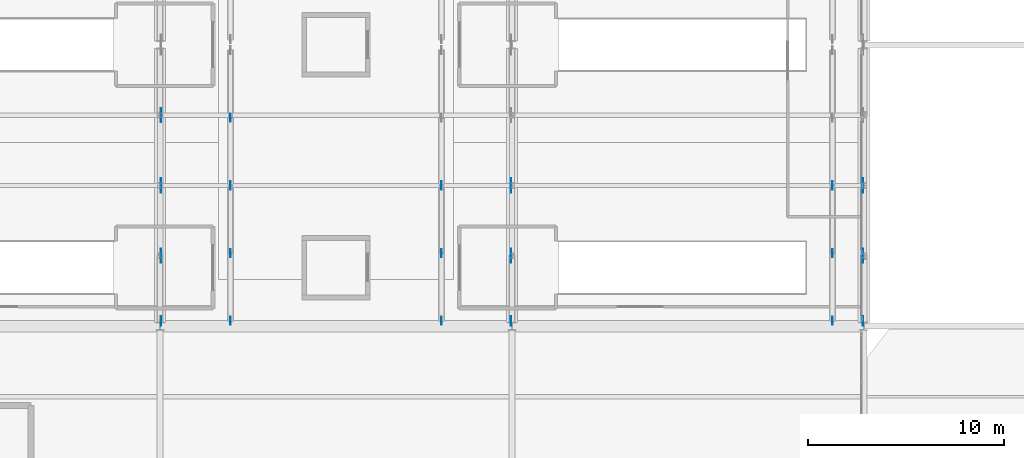
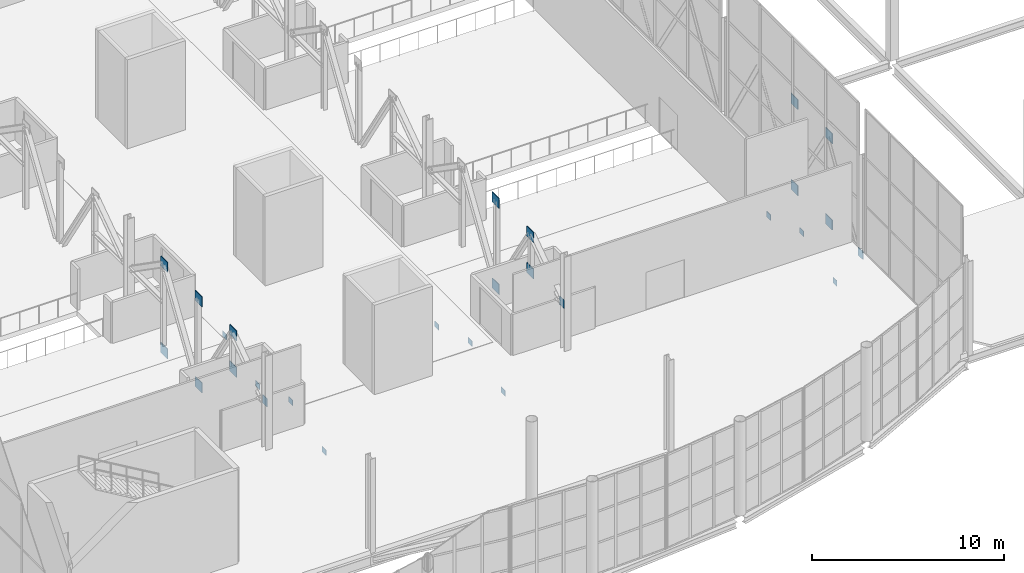
# One storey, part 161 of 191: 27 plates.
"""IFC4 building model written with IfcOpenShell, lengths in metres."""

from ifc_helpers import new_model, si_unit, direction, frame, origin, origin_2d, place, context, subcontext, project, spatial, rectangle, extrude, material, layer, layer_set, type_object, element, save


model = new_model("IFC4")

# Units and contexts
model_context = context("Model", 3, precision=1e-05, world=origin(), true_north=direction((0.0, 1.0)))
body_context = subcontext(model_context, "Body", "Model", "MODEL_VIEW")
ifc_project = project(units=[si_unit("LENGTHUNIT", "METRE"), si_unit("AREAUNIT", "SQUARE_METRE"), si_unit("VOLUMEUNIT", "CUBIC_METRE"), si_unit("PLANEANGLEUNIT", "RADIAN"), si_unit("MASSUNIT", "GRAM", prefix="KILO")], contexts=[model_context])

# Site, building, storey
site_placement = place(None, origin())
site = spatial("IfcSite", under=ifc_project, at=site_placement, CompositionType="ELEMENT")
building_placement = place(site_placement, origin())
building = spatial("IfcBuilding", under=site, at=building_placement, Name="Tamarisk Ironworks Central Station", CompositionType="ELEMENT")
storey_placement = place(building_placement, frame((0.0, 0.0, 6.60009765625)))
storey = spatial("IfcBuildingStorey", under=building, at=storey_placement, Name="L01", CompositionType="ELEMENT", Elevation=6.60009765625)

# Plates
ifc_material_1 = material(Name="Structural steel S355J2H", Category="steel")
ifc_layer_1 = layer(ifc_material_1, 0.02587890625)
ifc_layer_set_1 = layer_set([ifc_layer_1], Name="Structural steel S355J2H")
plate_type_1 = type_object("IfcPlateType", Name="PL-ND26", PredefinedType="SHEET", material=ifc_layer_set_1)
for number, where, z_axis, x_axis, name in (
    (1, (75.60009765625, 21.8798828125, -1.8203125), (0.0, 0.0, 1.0), (1.0, 0.0, 0.0), "Bridge deck stiffening brace gusset plate 149"),
    (2, (75.60009765625, 25.340087890625, -0.76025390625), (0.0, 0.0, 1.0), (1.0, 0.0, 0.0), "Bridge deck stiffening brace gusset plate 150"),
    (3, (75.60009765625, 28.800048828125, -1.8203125), (0.0, 0.0, 1.0), (1.0, 0.0, 0.0), "Bridge deck stiffening brace gusset plate 151"),
    (4, (75.60009765625, 32.260009765625, -0.76025390625), (0.0, 0.0, 1.0), (1.0, 0.0, 0.0), "Bridge deck stiffening brace gusset plate 152"),
    (5, (86.39990234375, 21.8798828125, -1.8203125), (0.0, 0.0, 1.0), (1.0, 0.0, 0.0), "Bridge deck stiffening brace gusset plate 169"),
    (6, (86.39990234375, 25.340087890625, -0.76025390625), (0.0, 0.0, 1.0), (1.0, 0.0, 0.0), "Bridge deck stiffening brace gusset plate 170"),
    (7, (86.39990234375, 28.800048828125, -1.8203125), (0.0, 0.0, 1.0), (1.0, 0.0, 0.0), "Bridge deck stiffening brace gusset plate 171"),
    (8, (106.39990234375, 21.8798828125, -1.8203125), (0.0, 0.0, 1.0), (1.0, 0.0, 0.0), "Bridge deck stiffening brace gusset plate 189"),
    (9, (106.39990234375, 25.340087890625, -0.76025390625), (0.0, 0.0, 1.0), (1.0, 0.0, 0.0), "Bridge deck stiffening brace gusset plate 190"),
    (10, (106.39990234375, 28.800048828125, -1.8203125), (0.0, 0.0, 1.0), (1.0, 0.0, 0.0), "Bridge deck stiffening brace gusset plate 191"),
):
    element("IfcPlate", number, at=place(storey_placement, frame(where, z_axis=z_axis, x_axis=x_axis)), inside=storey, type_object=plate_type_1, Name=name, PredefinedType="SHEET", context=body_context, shape_type="SweptSolid", body=[
        extrude(rectangle(XDim=0.02587890625, YDim=0.419921875, at=origin_2d()), origin(), (0.0, 0.0, 1.0), 0.360107421875),
    ])
ifc_material_2 = material(Name="Structural steel S355J2", Category="steel")
ifc_layer_2 = layer(ifc_material_2, 0.0380859375)
ifc_layer_set_2 = layer_set([ifc_layer_2], Name="Structural steel S355J2")
plate_type_2 = type_object("IfcPlateType", Name="PL-ND38", PredefinedType="SHEET", material=ifc_layer_set_2)
for number, where, z_axis, x_axis, name in (
    (11, (72.044921875, 25.199951171875, 2.47998046875), (0.0, 0.0, 1.0), (1.0, 0.0, 0.0), "Transfer truss gusset node plate 033"),
    (12, (72.044921875, 25.199951171875, 4.7998046875), (0.0, 0.0, 1.0), (1.0, 0.0, 0.0), "Transfer truss gusset node plate 034"),
    (13, (72.044921875, 28.800048828125, -0.7001953125), (0.0, 0.0, 1.0), (1.0, 0.0, 0.0), "Transfer truss gusset node plate 035"),
    (14, (72.044921875, 28.800048828125, 4.7998046875), (0.0, 0.0, 1.0), (1.0, 0.0, 0.0), "Transfer truss gusset node plate 036"),
    (15, (72.044921875, 32.39990234375, -0.7001953125), (0.0, 0.0, 1.0), (1.0, 0.0, 0.0), "Transfer truss gusset node plate 037"),
    (16, (72.044921875, 32.39990234375, 4.7998046875), (0.0, 0.0, 1.0), (1.0, 0.0, 0.0), "Transfer truss gusset node plate 038"),
):
    element("IfcPlate", number, at=place(storey_placement, frame(where, z_axis=z_axis, x_axis=x_axis)), inside=storey, type_object=plate_type_2, Name=name, PredefinedType="SHEET", context=body_context, shape_type="SweptSolid", body=[
        extrude(rectangle(XDim=0.0380859375, YDim=0.719970703125, at=origin_2d()), origin(), (0.0, 0.0, 1.0), 0.639892578125),
    ])
plate_1_placement = place(storey_placement, frame((72.044921875, 21.8798828125, 2.539794921875), z_axis=(0.0, 0.0, 1.0), x_axis=(1.0, 0.0, 0.0)))
element("IfcPlate", 17, at=plate_1_placement, inside=storey, type_object=plate_type_2, Name="Transfer truss end gusset node plate 039", PredefinedType="SHEET", context=body_context, shape_type="SweptSolid", body=[
    extrude(rectangle(XDim=0.0380859375, YDim=0.47998046875, at=origin_2d()), origin(), (0.0, 0.0, 1.0), 0.52001953125),
])
for number, where, z_axis, x_axis, name in (
    (18, (89.955078125, 25.199951171875, 2.47998046875), (0.0, 0.0, 1.0), (1.0, 0.0, 0.0), "Transfer truss gusset node plate 065"),
    (19, (89.955078125, 25.199951171875, 4.7998046875), (0.0, 0.0, 1.0), (1.0, 0.0, 0.0), "Transfer truss gusset node plate 066"),
    (20, (89.955078125, 28.800048828125, -0.7001953125), (0.0, 0.0, 1.0), (1.0, 0.0, 0.0), "Transfer truss gusset node plate 067"),
    (21, (89.955078125, 28.800048828125, 4.7998046875), (0.0, 0.0, 1.0), (1.0, 0.0, 0.0), "Transfer truss gusset node plate 068"),
):
    element("IfcPlate", number, at=place(storey_placement, frame(where, z_axis=z_axis, x_axis=x_axis)), inside=storey, type_object=plate_type_2, Name=name, PredefinedType="SHEET", context=body_context, shape_type="SweptSolid", body=[
        extrude(rectangle(XDim=0.0380859375, YDim=0.719970703125, at=origin_2d()), origin(), (0.0, 0.0, 1.0), 0.639892578125),
    ])
plate_2_placement = place(storey_placement, frame((89.955078125, 21.8798828125, 2.539794921875), z_axis=(0.0, 0.0, 1.0), x_axis=(1.0, 0.0, 0.0)))
element("IfcPlate", 22, at=plate_2_placement, inside=storey, type_object=plate_type_2, Name="Transfer truss end gusset node plate 071", PredefinedType="SHEET", context=body_context, shape_type="SweptSolid", body=[
    extrude(rectangle(XDim=0.0380859375, YDim=0.47998046875, at=origin_2d()), origin(), (0.0, 0.0, 1.0), 0.52001953125),
])
for number, where, z_axis, x_axis, name in (
    (23, (107.955078125, 25.199951171875, -0.7001953125), (0.0, 0.0, 1.0), (1.0, 0.0, 0.0), "Transfer truss gusset node plate 097"),
    (24, (107.955078125, 25.199951171875, 4.7998046875), (0.0, 0.0, 1.0), (1.0, 0.0, 0.0), "Transfer truss gusset node plate 098"),
    (25, (107.955078125, 28.800048828125, -0.7001953125), (0.0, 0.0, 1.0), (1.0, 0.0, 0.0), "Transfer truss gusset node plate 099"),
    (26, (107.955078125, 28.800048828125, 4.7998046875), (0.0, 0.0, 1.0), (1.0, 0.0, 0.0), "Transfer truss gusset node plate 100"),
):
    element("IfcPlate", number, at=place(storey_placement, frame(where, z_axis=z_axis, x_axis=x_axis)), inside=storey, type_object=plate_type_2, Name=name, PredefinedType="SHEET", context=body_context, shape_type="SweptSolid", body=[
        extrude(rectangle(XDim=0.0380859375, YDim=0.719970703125, at=origin_2d()), origin(), (0.0, 0.0, 1.0), 0.639892578125),
    ])
plate_3_placement = place(storey_placement, frame((107.955078125, 21.8798828125, -0.64013671875), z_axis=(0.0, 0.0, 1.0), x_axis=(1.0, 0.0, 0.0)))
element("IfcPlate", 27, at=plate_3_placement, inside=storey, type_object=plate_type_2, Name="Transfer truss end gusset node plate 103", PredefinedType="SHEET", context=body_context, shape_type="SweptSolid", body=[
    extrude(rectangle(XDim=0.0380859375, YDim=0.47998046875, at=origin_2d()), origin(), (0.0, 0.0, 1.0), 0.52001953125),
])

save(model, "model.ifc")
